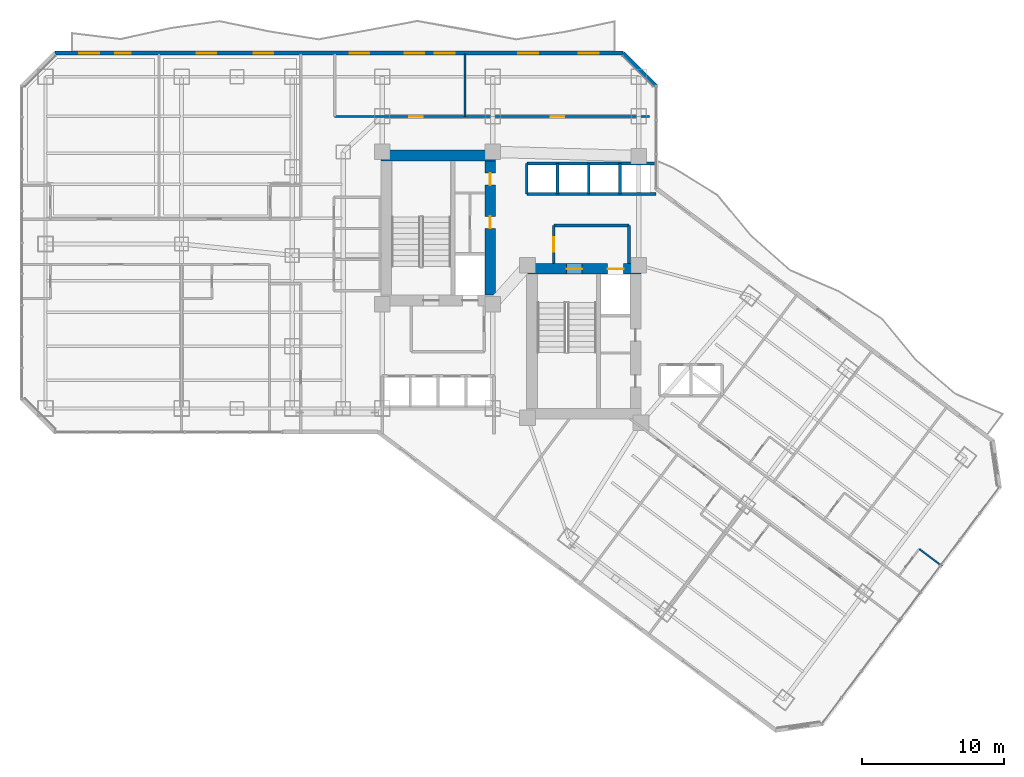
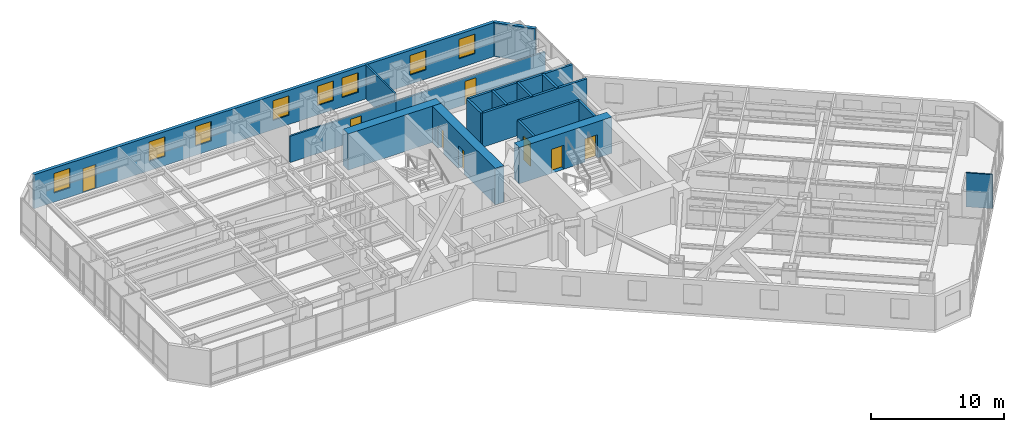
# One storey, part 27 of 33: 18 walls, 8 doors, 8 windows, 16 openings.
"""IFC4 building model written with IfcOpenShell, lengths in metres."""

from ifc_helpers import new_model, si_unit, direction, frame, frame_2d, origin, place, context, subcontext, project, spatial, rectangle, extrude, material, layer, layer_set, type_object, element, fill, save


model = new_model("IFC4")

# Units and contexts
model_context = context("Model", 3, precision=1e-05, world=origin(), true_north=direction((0.0, 1.0)))
body_context = subcontext(model_context, "Body", "Model", "MODEL_VIEW")
ifc_project = project(units=[si_unit("LENGTHUNIT", "METRE"), si_unit("AREAUNIT", "SQUARE_METRE"), si_unit("VOLUMEUNIT", "CUBIC_METRE"), si_unit("PLANEANGLEUNIT", "RADIAN"), si_unit("MASSUNIT", "GRAM", prefix="KILO")], contexts=[model_context])

# Site, building, storey
site_placement = place(None, origin())
site = spatial("IfcSite", under=ifc_project, at=site_placement, CompositionType="ELEMENT")
building_placement = place(site_placement, origin())
building = spatial("IfcBuilding", under=site, at=building_placement, Name="Hatsunagi Terrace Concourse", CompositionType="ELEMENT")
storey_placement = place(building_placement, frame((0.0, 0.0, 53.35009765625)))
storey = spatial("IfcBuildingStorey", under=building, at=storey_placement, Name="L13", CompositionType="ELEMENT", Elevation=53.35009765625)

# Wall
ifc_material_1 = material(Name="Concrete Fc60", Category="concrete")
ifc_layer_1 = layer(ifc_material_1, 0.75)
ifc_layer_set_1 = layer_set([ifc_layer_1], Name="CoreShearWall_Fc60_750")
wall_type_1 = type_object("IfcWallType", Name="CoreShearWall_Fc60_750", PredefinedType="SHEAR", material=ifc_layer_set_1)
wall_1_placement = place(storey_placement, frame((25.469970703125, 43.044921875, 0.0), z_axis=(0.0, 0.0, 1.0), x_axis=(1.0, 0.0, 0.0)))
element("IfcWall", 1, at=wall_1_placement, inside=storey, type_object=wall_type_1, Name="Core A Shear Wall N L13", PredefinedType="SHEAR", context=body_context, shape_type="SweptSolid", body=[
    extrude(rectangle(XDim=8.080078125, YDim=0.75, at=frame_2d((4.0400390625, 0.0))), origin(), (0.0, 0.0, 1.0), 3.349853515625),
])

# Wall, openings, doors
wall_2_placement = place(storey_placement, frame((33.175048828125, 33.18994140625, 0.0), z_axis=(0.0, 0.0, 1.0), x_axis=(0.0, 1.0, 0.0)))
wall_2 = element("IfcWall", 2, at=wall_2_placement, inside=storey, type_object=wall_type_1, Name="Core A Shear Wall E L13", PredefinedType="SHEAR", context=body_context, shape_type="SweptSolid", body=[
    extrude(rectangle(XDim=9.47998046875, YDim=0.75, at=frame_2d((4.739990234375, 0.0))), origin(), (0.0, 0.0, 1.0), 3.349853515625),
])
opening_1_placement = place(wall_2_placement, frame((4.7099609375, 0.0, 0.0)))
opening_1 = element("IfcOpeningElement", 3, at=opening_1_placement, cuts=wall_2, Name="Opening DR-085", PredefinedType="OPENING", context=body_context, shape_type="SweptSolid", body=[
    extrude(rectangle(XDim=0.85009765625, YDim=2.080078125, at=frame_2d((0.425048828125, 1.0400390625))), frame((0.0, 0.385009765625, 0.0), z_axis=(0.0, -1.0, 0.0), x_axis=(1.0, 0.0, 0.0)), (0.0, 0.0, 1.0), 0.77001953125),
])
opening_2_placement = place(wall_2_placement, frame((7.760009765625, 0.0, 0.0)))
opening_2 = element("IfcOpeningElement", 4, at=opening_2_placement, cuts=wall_2, Name="Opening DR-085", PredefinedType="OPENING", context=body_context, shape_type="SweptSolid", body=[
    extrude(rectangle(XDim=0.85009765625, YDim=2.080078125, at=frame_2d((0.425048828125, 1.0400390625))), frame((0.0, 0.385009765625, 0.0), z_axis=(0.0, -1.0, 0.0), x_axis=(1.0, 0.0, 0.0)), (0.0, 0.0, 1.0), 0.77001953125),
])
ifc_material_2 = material(Name="Painted steel", Category="steel")
door_type_1 = type_object("IfcDoorType", Name="RiserAccessDoor_EI60_850", OperationType="NOTDEFINED", PredefinedType="DOOR", material=ifc_material_2)
door_1_placement = place(opening_1_placement, origin())
door_1 = element("IfcDoor", 5, at=door_1_placement, inside=storey, type_object=door_type_1, Name="Core A Riser Door L13-1", OperationType="SINGLE_SWING_LEFT", OverallHeight=2.080078125, OverallWidth=0.85009765625, PredefinedType="DOOR", context=body_context, shape_type="SweptSolid", body=[
    extrude(rectangle(XDim=0.85009765625, YDim=2.080078125, at=frame_2d((0.425048828125, 1.0400390625))), frame((0.0, 0.02490234375, 0.0), z_axis=(0.0, -1.0, 0.0), x_axis=(1.0, 0.0, 0.0)), (0.0, 0.0, 1.0), 0.050048828125),
])
fill(opening_1, door_1)
door_2_placement = place(opening_2_placement, origin())
door_2 = element("IfcDoor", 6, at=door_2_placement, inside=storey, type_object=door_type_1, Name="Core A Riser Door L13-2", OperationType="SINGLE_SWING_LEFT", OverallHeight=2.080078125, OverallWidth=0.85009765625, PredefinedType="DOOR", context=body_context, shape_type="SweptSolid", body=[
    extrude(rectangle(XDim=0.85009765625, YDim=2.080078125, at=frame_2d((0.425048828125, 1.0400390625))), frame((0.0, 0.02490234375, 0.0), z_axis=(0.0, -1.0, 0.0), x_axis=(1.0, 0.0, 0.0)), (0.0, 0.0, 1.0), 0.050048828125),
])
fill(opening_2, door_2)

wall_3_placement = place(storey_placement, frame((35.739990234375, 35.044921875, 0.0), z_axis=(0.0, 0.0, 1.0), x_axis=(1.0, 0.0, 0.0)))
wall_3 = element("IfcWall", 7, at=wall_3_placement, inside=storey, type_object=wall_type_1, Name="Core B Shear Wall N L13", PredefinedType="SHEAR", context=body_context, shape_type="SweptSolid", body=[
    extrude(rectangle(XDim=8.06005859375, YDim=0.75, at=frame_2d((4.030029296875, 0.0))), origin(), (0.0, 0.0, 1.0), 3.349853515625),
])
opening_3_placement = place(wall_3_placement, frame((2.81005859375, 0.0, 0.0)))
opening_3 = element("IfcOpeningElement", 8, at=opening_3_placement, cuts=wall_3, Name="Opening DR-110S", PredefinedType="OPENING", context=body_context, shape_type="SweptSolid", body=[
    extrude(rectangle(XDim=1.10009765625, YDim=2.199951171875, at=frame_2d((0.550048828125, 1.10009765625))), frame((0.0, 0.385009765625, 0.0), z_axis=(0.0, -1.0, 0.0), x_axis=(1.0, 0.0, 0.0)), (0.0, 0.0, 1.0), 0.77001953125),
])
opening_4_placement = place(wall_3_placement, frame((5.7099609375, 0.0, 0.0)))
opening_4 = element("IfcOpeningElement", 9, at=opening_4_placement, cuts=wall_3, Name="Opening LD-02", PredefinedType="OPENING", context=body_context, shape_type="SweptSolid", body=[
    extrude(rectangle(XDim=1.1201171875, YDim=2.14990234375, at=frame_2d((0.56005859375, 1.074951171875))), frame((0.0, 0.385009765625, 0.0), z_axis=(0.0, -1.0, 0.0), x_axis=(1.0, 0.0, 0.0)), (0.0, 0.0, 1.0), 0.77001953125),
])
ifc_material_3 = material(Name="Stainless steel", Category="steel")
door_type_2 = type_object("IfcDoorType", Name="LiftLandingDoor_LD02", OperationType="SLIDING_TO_RIGHT", PredefinedType="USERDEFINED", material=ifc_material_3)
door_3_placement = place(opening_4_placement, origin())
door_3 = element("IfcDoor", 10, at=door_3_placement, inside=storey, type_object=door_type_2, Name="Lift landing door FF-02 L13", ObjectType="SLIDING_LANDING_DOOR", OperationType="SLIDING_TO_RIGHT", OverallHeight=2.14990234375, OverallWidth=1.1201171875, PredefinedType="USERDEFINED", context=body_context, shape_type="SweptSolid", body=[
    extrude(rectangle(XDim=1.1201171875, YDim=2.14990234375, at=frame_2d((0.56005859375, 1.074951171875))), frame((0.0, 0.02490234375, 0.0), z_axis=(0.0, -1.0, 0.0), x_axis=(1.0, 0.0, 0.0)), (0.0, 0.0, 1.0), 0.050048828125),
])
fill(opening_4, door_3)
ifc_material_4 = material(Name="Painted steel", Category="steel")
door_type_3 = type_object("IfcDoorType", Name="StairFireDoor_EI60_1100", OperationType="NOTDEFINED", PredefinedType="DOOR", material=ifc_material_4)
door_4_placement = place(opening_3_placement, origin())
door_4 = element("IfcDoor", 11, at=door_4_placement, inside=storey, type_object=door_type_3, Name="Stair ST-B Exit Door L13", OperationType="SINGLE_SWING_RIGHT", OverallHeight=2.199951171875, OverallWidth=1.10009765625, PredefinedType="DOOR", context=body_context, shape_type="SweptSolid", body=[
    extrude(rectangle(XDim=1.10009765625, YDim=2.199951171875, at=frame_2d((0.550048828125, 1.10009765625))), frame((0.0, 0.02490234375, 0.0), z_axis=(0.0, -1.0, 0.0), x_axis=(1.0, 0.0, 0.0)), (0.0, 0.0, 1.0), 0.050048828125),
])
fill(opening_3, door_4)

# Wall
ifc_material_5 = material(Name="Acoustic mineral board", Category="gypsum")
ifc_layer_2 = layer(ifc_material_5, 0.1201171875)
ifc_layer_set_2 = layer_set([ifc_layer_2], Name="PartitionWall_EI30_120")
wall_type_2 = type_object("IfcWallType", Name="PartitionWall_EI30_120", PredefinedType="PARTITIONING", material=ifc_layer_set_2)
wall_4_placement = place(storey_placement, frame((63.429931640625, 15.2900390625, 0.0), z_axis=(0.0, 0.0, 1.0), x_axis=(0.800014574191, -0.599980567254, 0.0)))
element("IfcWall", 12, at=wall_4_placement, inside=storey, type_object=wall_type_2, Name="Interior Partition IW-L13-081", PredefinedType="PARTITIONING", context=body_context, shape_type="SweptSolid", body=[
    extrude(rectangle(XDim=2.01025390625, YDim=0.1201171875, at=frame_2d((1.005126953125, 0.0))), origin(), (0.0, 0.0, 1.0), 3.1298828125),
])

# Wall, opening, door
ifc_material_6 = material(Name="Acoustic mineral board", Category="gypsum")
ifc_layer_3 = layer(ifc_material_6, 0.14990234375)
ifc_layer_set_3 = layer_set([ifc_layer_3], Name="PartitionWall_EI60_150")
wall_type_3 = type_object("IfcWallType", Name="PartitionWall_EI60_150", PredefinedType="PARTITIONING", material=ifc_layer_set_3)
wall_5_placement = place(storey_placement, frame((22.199951171875, 45.800048828125, 0.0), z_axis=(0.0, 0.0, 1.0), x_axis=(1.0, 0.0, 0.0)))
wall_5 = element("IfcWall", 13, at=wall_5_placement, inside=storey, type_object=wall_type_3, Name="Interior Partition IW-L13-038", PredefinedType="PARTITIONING", context=body_context, shape_type="SweptSolid", body=[
    extrude(rectangle(XDim=9.199951171875, YDim=0.14990234375, at=frame_2d((4.60009765625, 0.0))), origin(), (0.0, 0.0, 1.0), 2.4248046875),
])
opening_5_placement = place(wall_5_placement, frame((5.248046875, 0.0, 0.0)))
opening_5 = element("IfcOpeningElement", 14, at=opening_5_placement, cuts=wall_5, Name="Opening DR-095", PredefinedType="OPENING", context=body_context, shape_type="SweptSolid", body=[
    extrude(rectangle(XDim=0.949951171875, YDim=2.14990234375, at=frame_2d((0.47509765625, 1.074951171875))), frame((0.0, 0.0849609375, 0.0), z_axis=(0.0, -1.0, 0.0), x_axis=(1.0, 0.0, 0.0)), (0.0, 0.0, 1.0), 0.169921875),
])
ifc_material_7 = material(Name="Hardwood timber", Category="wood")
door_type_4 = type_object("IfcDoorType", Name="InteriorSuiteDoor_EI30_950", OperationType="NOTDEFINED", PredefinedType="DOOR", material=ifc_material_7)
door_5_placement = place(opening_5_placement, origin())
door_5 = element("IfcDoor", 15, at=door_5_placement, inside=storey, type_object=door_type_4, Name="Housekeeping Linen Room L13-HLIN Door", OperationType="SINGLE_SWING_LEFT", OverallHeight=2.14990234375, OverallWidth=0.949951171875, PredefinedType="DOOR", context=body_context, shape_type="SweptSolid", body=[
    extrude(rectangle(XDim=0.949951171875, YDim=2.14990234375, at=frame_2d((0.47509765625, 1.074951171875))), frame((0.0, 0.02490234375, 0.0), z_axis=(0.0, -1.0, 0.0), x_axis=(1.0, 0.0, 0.0)), (0.0, 0.0, 1.0), 0.050048828125),
])
fill(opening_5, door_5)

# Wall
wall_6_placement = place(storey_placement, frame((31.39990234375, 45.800048828125, 0.0), z_axis=(0.0, 0.0, 1.0), x_axis=(0.0, 1.0, 0.0)))
element("IfcWall", 16, at=wall_6_placement, inside=storey, type_object=wall_type_3, Name="Interior Partition IW-L13-040", PredefinedType="PARTITIONING", context=body_context, shape_type="SweptSolid", body=[
    extrude(rectangle(XDim=4.39990234375, YDim=0.14990234375, at=frame_2d((2.199951171875, 0.0))), origin(), (0.0, 0.0, 1.0), 3.1298828125),
])

# Wall, opening, door
wall_7_placement = place(storey_placement, frame((31.39990234375, 45.800048828125, 0.0), z_axis=(0.0, 0.0, 1.0), x_axis=(1.0, 0.0, 0.0)))
wall_7 = element("IfcWall", 17, at=wall_7_placement, inside=storey, type_object=wall_type_3, Name="Interior Partition IW-L13-041", PredefinedType="PARTITIONING", context=body_context, shape_type="SweptSolid", body=[
    extrude(rectangle(XDim=13.0, YDim=0.14990234375, at=frame_2d((6.5, 0.0))), origin(), (0.0, 0.0, 1.0), 2.4248046875),
])
opening_6_placement = place(wall_7_placement, frame((6.02490234375, 0.0, 0.0)))
opening_6 = element("IfcOpeningElement", 18, at=opening_6_placement, cuts=wall_7, Name="Opening DR-095", PredefinedType="OPENING", context=body_context, shape_type="SweptSolid", body=[
    extrude(rectangle(XDim=0.949951171875, YDim=2.14990234375, at=frame_2d((0.47509765625, 1.074951171875))), frame((0.0, 0.0849609375, 0.0), z_axis=(0.0, -1.0, 0.0), x_axis=(1.0, 0.0, 0.0)), (0.0, 0.0, 1.0), 0.169921875),
])
door_6_placement = place(opening_6_placement, origin())
door_6 = element("IfcDoor", 19, at=door_6_placement, inside=storey, type_object=door_type_4, Name="VIP Lounge L13-HLNG Door", OperationType="SINGLE_SWING_LEFT", OverallHeight=2.14990234375, OverallWidth=0.949951171875, PredefinedType="DOOR", context=body_context, shape_type="SweptSolid", body=[
    extrude(rectangle(XDim=0.949951171875, YDim=2.14990234375, at=frame_2d((0.47509765625, 1.074951171875))), frame((0.0, 0.02490234375, 0.0), z_axis=(0.0, -1.0, 0.0), x_axis=(1.0, 0.0, 0.0)), (0.0, 0.0, 1.0), 0.050048828125),
])
fill(opening_6, door_6)

# Walls
ifc_material_8 = material(Name="Acoustic mineral board", Category="gypsum")
ifc_layer_4 = layer(ifc_material_8, 0.199951171875)
ifc_layer_set_4 = layer_set([ifc_layer_4], Name="ShaftWall_EI120_200")
wall_type_4 = type_object("IfcWallType", Name="ShaftWall_EI120_200", PredefinedType="STANDARD", material=ifc_layer_set_4)
wall_8_placement = place(storey_placement, frame((37.64990234375, 38.10009765625, 0.0), z_axis=(0.0, 0.0, 1.0), x_axis=(1.0, 0.0, 0.0)))
element("IfcWall", 20, at=wall_8_placement, inside=storey, type_object=wall_type_4, Name="Interior Partition IW-L13-009", PredefinedType="STANDARD", context=body_context, shape_type="SweptSolid", body=[
    extrude(rectangle(XDim=5.300048828125, YDim=0.199951171875, at=frame_2d((2.64990234375, 0.0))), origin(), (0.0, 0.0, 1.0), 3.1298828125),
])
wall_9_placement = place(storey_placement, frame((42.949951171875, 35.419921875, 0.0), z_axis=(0.0, 0.0, 1.0), x_axis=(0.0, 1.0, 0.0)))
element("IfcWall", 21, at=wall_9_placement, inside=storey, type_object=wall_type_4, Name="Interior Partition IW-L13-010", PredefinedType="STANDARD", context=body_context, shape_type="SweptSolid", body=[
    extrude(rectangle(XDim=2.68017578125, YDim=0.199951171875, at=frame_2d((1.340087890625, 0.0))), origin(), (0.0, 0.0, 1.0), 3.1298828125),
])

# Wall, opening, door
wall_10_placement = place(storey_placement, frame((37.64990234375, 35.419921875, 0.0), z_axis=(0.0, 0.0, 1.0), x_axis=(0.0, 1.0, 0.0)))
wall_10 = element("IfcWall", 22, at=wall_10_placement, inside=storey, type_object=wall_type_4, Name="Interior Partition IW-L13-011", PredefinedType="STANDARD", context=body_context, shape_type="SweptSolid", body=[
    extrude(rectangle(XDim=2.68017578125, YDim=0.199951171875, at=frame_2d((1.340087890625, 0.0))), origin(), (0.0, 0.0, 1.0), 3.1298828125),
])
opening_7_placement = place(wall_10_placement, frame((0.840087890625, 0.0, 0.0)))
opening_7 = element("IfcOpeningElement", 23, at=opening_7_placement, cuts=wall_10, Name="Opening DR-100F", PredefinedType="OPENING", context=body_context, shape_type="SweptSolid", body=[
    extrude(rectangle(XDim=1.0, YDim=2.199951171875, at=frame_2d((0.5, 1.10009765625))), frame((0.0, 0.10986328125, 0.0), z_axis=(0.0, -1.0, 0.0), x_axis=(1.0, 0.0, 0.0)), (0.0, 0.0, 1.0), 0.219970703125),
])
ifc_material_9 = material(Name="Painted steel", Category="steel")
door_type_5 = type_object("IfcDoorType", Name="FireDoor_EI60_1000", OperationType="NOTDEFINED", PredefinedType="DOOR", material=ifc_material_9)
door_7_placement = place(opening_7_placement, origin())
door_7 = element("IfcDoor", 24, at=door_7_placement, inside=storey, type_object=door_type_5, Name="Firefighting Lobby B Door L13", OperationType="SINGLE_SWING_RIGHT", OverallHeight=2.199951171875, OverallWidth=1.0, PredefinedType="DOOR", context=body_context, shape_type="SweptSolid", body=[
    extrude(rectangle(XDim=1.0, YDim=2.199951171875, at=frame_2d((0.5, 1.10009765625))), frame((0.0, 0.02490234375, 0.0), z_axis=(0.0, -1.0, 0.0), x_axis=(1.0, 0.0, 0.0)), (0.0, 0.0, 1.0), 0.050048828125),
])
fill(opening_7, door_7)

# Walls
wall_11_placement = place(storey_placement, frame((35.75, 42.47998046875, 0.0), z_axis=(0.0, 0.0, 1.0), x_axis=(1.0, 0.0, 0.0)))
element("IfcWall", 25, at=wall_11_placement, inside=storey, type_object=wall_type_4, Name="Interior Partition IW-L13-019", PredefinedType="STANDARD", context=body_context, shape_type="SweptSolid", body=[
    extrude(rectangle(XDim=9.110107421875, YDim=0.199951171875, at=frame_2d((4.55517578125, 0.0))), origin(), (0.0, 0.0, 1.0), 3.1298828125),
])
for number, where, z_axis, x_axis, name in (
    (26, (35.75, 40.320068359375, 0.0), (0.0, 0.0, 1.0), (0.0, 1.0, 0.0), "Interior Partition IW-L13-020"),
    (27, (37.919921875, 40.320068359375, 0.0), (0.0, 0.0, 1.0), (0.0, 1.0, 0.0), "Interior Partition IW-L13-021"),
    (28, (40.1201171875, 40.320068359375, 0.0), (0.0, 0.0, 1.0), (0.0, 1.0, 0.0), "Interior Partition IW-L13-022"),
    (29, (42.320068359375, 40.320068359375, 0.0), (0.0, 0.0, 1.0), (0.0, 1.0, 0.0), "Interior Partition IW-L13-023"),
):
    element("IfcWall", number, at=place(storey_placement, frame(where, z_axis=z_axis, x_axis=x_axis)), inside=storey, type_object=wall_type_4, Name=name, PredefinedType="STANDARD", context=body_context, shape_type="SweptSolid", body=[
        extrude(rectangle(XDim=2.159912109375, YDim=0.199951171875, at=frame_2d((1.080078125, 0.0))), origin(), (0.0, 0.0, 1.0), 3.1298828125),
    ])
wall_12_placement = place(storey_placement, frame((35.75, 40.320068359375, 0.0), z_axis=(0.0, 0.0, 1.0), x_axis=(1.0, 0.0, 0.0)))
element("IfcWall", 30, at=wall_12_placement, inside=storey, type_object=wall_type_4, Name="Interior Partition IW-L13-024", PredefinedType="STANDARD", context=body_context, shape_type="SweptSolid", body=[
    extrude(rectangle(XDim=9.110107421875, YDim=0.199951171875, at=frame_2d((4.55517578125, 0.0))), origin(), (0.0, 0.0, 1.0), 3.1298828125),
])

# Wall, openings, door, windows
ifc_material_10 = material(Name="Autoclaved Lightweight Concrete and Terracotta Cladding", Category="masonry")
ifc_layer_5 = layer(ifc_material_10, 0.280029296875)
ifc_layer_set_5 = layer_set([ifc_layer_5], Name="TerracottaSpandrelWall_280")
wall_type_5 = type_object("IfcWallType", Name="TerracottaSpandrelWall_280", PredefinedType="STANDARD", material=ifc_layer_set_5)
wall_13_placement = place(storey_placement, frame((2.4580078125, 50.260009765625, 0.0), z_axis=(0.0, 0.0, 1.0), x_axis=(1.0, 0.0, 0.0)))
wall_13 = element("IfcWall", 31, at=wall_13_placement, inside=storey, type_object=wall_type_5, Name="Exterior Spandrel Wall EW-L13-11", PredefinedType="STANDARD", context=body_context, shape_type="SweptSolid", body=[
    extrude(rectangle(XDim=40.083984375, YDim=0.280029296875, at=frame_2d((20.0419921875, 0.0))), origin(), (0.0, 0.0, 1.0), 3.1298828125),
])
opening_8_placement = place(wall_13_placement, frame((4.260009765625, 0.0, 0.0)))
opening_8 = element("IfcOpeningElement", 32, at=opening_8_placement, cuts=wall_13, Name="Opening BD-01", PredefinedType="OPENING", context=body_context, shape_type="SweptSolid", body=[
    extrude(rectangle(XDim=1.10009765625, YDim=2.199951171875, at=frame_2d((0.550048828125, 1.10009765625))), frame((0.0, 0.14990234375, 0.0), z_axis=(0.0, -1.0, 0.0), x_axis=(1.0, 0.0, 0.0)), (0.0, 0.0, 1.0), 0.300048828125),
])
opening_9_placement = place(wall_13_placement, frame((1.717041015625, 0.0, 0.85009765625)))
opening_9 = element("IfcOpeningElement", 33, at=opening_9_placement, cuts=wall_13, Name="Opening WIN-02", PredefinedType="OPENING", context=body_context, shape_type="SweptSolid", body=[
    extrude(rectangle(XDim=1.39990234375, YDim=1.800048828125, at=frame_2d((0.699951171875, 0.89990234375))), frame((0.0, 0.14990234375, 0.0), z_axis=(0.0, -1.0, 0.0), x_axis=(1.0, 0.0, 0.0)), (0.0, 0.0, 1.0), 0.300048828125),
])
opening_10_placement = place(wall_13_placement, frame((10.0, 0.0, 0.85009765625)))
opening_10 = element("IfcOpeningElement", 34, at=opening_10_placement, cuts=wall_13, Name="Opening WIN-02", PredefinedType="OPENING", context=body_context, shape_type="SweptSolid", body=[
    extrude(rectangle(XDim=1.39990234375, YDim=1.800048828125, at=frame_2d((0.699951171875, 0.89990234375))), frame((0.0, 0.14990234375, 0.0), z_axis=(0.0, -1.0, 0.0), x_axis=(1.0, 0.0, 0.0)), (0.0, 0.0, 1.0), 0.300048828125),
])
opening_11_placement = place(wall_13_placement, frame((14.02001953125, 0.0, 0.85009765625)))
opening_11 = element("IfcOpeningElement", 35, at=opening_11_placement, cuts=wall_13, Name="Opening WIN-02", PredefinedType="OPENING", context=body_context, shape_type="SweptSolid", body=[
    extrude(rectangle(XDim=1.39990234375, YDim=1.800048828125, at=frame_2d((0.699951171875, 0.89990234375))), frame((0.0, 0.14990234375, 0.0), z_axis=(0.0, -1.0, 0.0), x_axis=(1.0, 0.0, 0.0)), (0.0, 0.0, 1.0), 0.300048828125),
])
opening_12_placement = place(wall_13_placement, frame((20.7890625, 0.0, 0.85009765625)))
opening_12 = element("IfcOpeningElement", 36, at=opening_12_placement, cuts=wall_13, Name="Opening WIN-02", PredefinedType="OPENING", context=body_context, shape_type="SweptSolid", body=[
    extrude(rectangle(XDim=1.39990234375, YDim=1.800048828125, at=frame_2d((0.699951171875, 0.89990234375))), frame((0.0, 0.14990234375, 0.0), z_axis=(0.0, -1.0, 0.0), x_axis=(1.0, 0.0, 0.0)), (0.0, 0.0, 1.0), 0.300048828125),
])
opening_13_placement = place(wall_13_placement, frame((24.6640625, 0.0, 0.85009765625)))
opening_13 = element("IfcOpeningElement", 37, at=opening_13_placement, cuts=wall_13, Name="Opening WIN-02", PredefinedType="OPENING", context=body_context, shape_type="SweptSolid", body=[
    extrude(rectangle(XDim=1.39990234375, YDim=1.800048828125, at=frame_2d((0.699951171875, 0.89990234375))), frame((0.0, 0.14990234375, 0.0), z_axis=(0.0, -1.0, 0.0), x_axis=(1.0, 0.0, 0.0)), (0.0, 0.0, 1.0), 0.300048828125),
])
opening_14_placement = place(wall_13_placement, frame((26.802978515625, 0.0, 0.85009765625)))
opening_14 = element("IfcOpeningElement", 38, at=opening_14_placement, cuts=wall_13, Name="Opening WIN-02", PredefinedType="OPENING", context=body_context, shape_type="SweptSolid", body=[
    extrude(rectangle(XDim=1.39990234375, YDim=1.800048828125, at=frame_2d((0.699951171875, 0.89990234375))), frame((0.0, 0.14990234375, 0.0), z_axis=(0.0, -1.0, 0.0), x_axis=(1.0, 0.0, 0.0)), (0.0, 0.0, 1.0), 0.300048828125),
])
opening_15_placement = place(wall_13_placement, frame((32.702880859375, 0.0, 0.85009765625)))
opening_15 = element("IfcOpeningElement", 39, at=opening_15_placement, cuts=wall_13, Name="Opening WIN-02", PredefinedType="OPENING", context=body_context, shape_type="SweptSolid", body=[
    extrude(rectangle(XDim=1.39990234375, YDim=1.800048828125, at=frame_2d((0.699951171875, 0.89990234375))), frame((0.0, 0.14990234375, 0.0), z_axis=(0.0, -1.0, 0.0), x_axis=(1.0, 0.0, 0.0)), (0.0, 0.0, 1.0), 0.300048828125),
])
opening_16_placement = place(wall_13_placement, frame((36.967041015625, 0.0, 0.85009765625)))
opening_16 = element("IfcOpeningElement", 40, at=opening_16_placement, cuts=wall_13, Name="Opening WIN-02", PredefinedType="OPENING", context=body_context, shape_type="SweptSolid", body=[
    extrude(rectangle(XDim=1.39990234375, YDim=1.800048828125, at=frame_2d((0.699951171875, 0.89990234375))), frame((0.0, 0.14990234375, 0.0), z_axis=(0.0, -1.0, 0.0), x_axis=(1.0, 0.0, 0.0)), (0.0, 0.0, 1.0), 0.300048828125),
])
ifc_material_11 = material(Name="Galvanised Steel and Laminated Safety Glass", Category="steel")
door_type_6 = type_object("IfcDoorType", Name="BalconyTerraceAccessDoor_1100x2200", OperationType="SINGLE_SWING_LEFT", PredefinedType="DOOR", material=ifc_material_11)
door_8_placement = place(opening_8_placement, origin())
door_8 = element("IfcDoor", 41, at=door_8_placement, inside=storey, type_object=door_type_6, Name="Engawa Balcony Door L13-BN", OperationType="SINGLE_SWING_RIGHT", OverallHeight=2.199951171875, OverallWidth=1.10009765625, PredefinedType="DOOR", context=body_context, shape_type="SweptSolid", body=[
    extrude(rectangle(XDim=1.10009765625, YDim=2.199951171875, at=frame_2d((0.550048828125, 1.10009765625))), frame((0.0, 0.02490234375, 0.0), z_axis=(0.0, -1.0, 0.0), x_axis=(1.0, 0.0, 0.0)), (0.0, 0.0, 1.0), 0.050048828125),
])
fill(opening_8, door_8)
ifc_material_12 = material(Name="Thermally Broken Aluminium and Low-E Triple Glazing", Category="aluminium")
window_type = type_object("IfcWindowType", Name="HotelOperableVentWindow_1400x1800", PartitioningType="DOUBLE_PANEL_VERTICAL", PredefinedType="WINDOW", material=ifc_material_12)
window_1_placement = place(opening_9_placement, origin())
window_1 = element("IfcWindow", 42, at=window_1_placement, inside=storey, type_object=window_type, Name="Balcony Daylighting Window L13-11-1", OverallHeight=1.800048828125, OverallWidth=1.39990234375, PartitioningType="SINGLE_PANEL", PredefinedType="WINDOW", context=body_context, shape_type="SweptSolid", body=[
    extrude(rectangle(XDim=1.39990234375, YDim=1.800048828125, at=frame_2d((0.699951171875, 0.89990234375))), frame((0.0, 0.030029296875, 0.0), z_axis=(0.0, -1.0, 0.0), x_axis=(1.0, 0.0, 0.0)), (0.0, 0.0, 1.0), 0.06005859375),
])
fill(opening_9, window_1)
window_2_placement = place(opening_10_placement, origin())
window_2 = element("IfcWindow", 43, at=window_2_placement, inside=storey, type_object=window_type, Name="Balcony Daylighting Window L13-11-3", OverallHeight=1.800048828125, OverallWidth=1.39990234375, PartitioningType="SINGLE_PANEL", PredefinedType="WINDOW", context=body_context, shape_type="SweptSolid", body=[
    extrude(rectangle(XDim=1.39990234375, YDim=1.800048828125, at=frame_2d((0.699951171875, 0.89990234375))), frame((0.0, 0.030029296875, 0.0), z_axis=(0.0, -1.0, 0.0), x_axis=(1.0, 0.0, 0.0)), (0.0, 0.0, 1.0), 0.06005859375),
])
fill(opening_10, window_2)
window_3_placement = place(opening_11_placement, origin())
window_3 = element("IfcWindow", 44, at=window_3_placement, inside=storey, type_object=window_type, Name="Balcony Daylighting Window L13-11-4", OverallHeight=1.800048828125, OverallWidth=1.39990234375, PartitioningType="SINGLE_PANEL", PredefinedType="WINDOW", context=body_context, shape_type="SweptSolid", body=[
    extrude(rectangle(XDim=1.39990234375, YDim=1.800048828125, at=frame_2d((0.699951171875, 0.89990234375))), frame((0.0, 0.030029296875, 0.0), z_axis=(0.0, -1.0, 0.0), x_axis=(1.0, 0.0, 0.0)), (0.0, 0.0, 1.0), 0.06005859375),
])
fill(opening_11, window_3)
window_4_placement = place(opening_12_placement, origin())
window_4 = element("IfcWindow", 45, at=window_4_placement, inside=storey, type_object=window_type, Name="Balcony Daylighting Window L13-11-5", OverallHeight=1.800048828125, OverallWidth=1.39990234375, PartitioningType="SINGLE_PANEL", PredefinedType="WINDOW", context=body_context, shape_type="SweptSolid", body=[
    extrude(rectangle(XDim=1.39990234375, YDim=1.800048828125, at=frame_2d((0.699951171875, 0.89990234375))), frame((0.0, 0.030029296875, 0.0), z_axis=(0.0, -1.0, 0.0), x_axis=(1.0, 0.0, 0.0)), (0.0, 0.0, 1.0), 0.06005859375),
])
fill(opening_12, window_4)
window_5_placement = place(opening_13_placement, origin())
window_5 = element("IfcWindow", 46, at=window_5_placement, inside=storey, type_object=window_type, Name="Balcony Daylighting Window L13-11-6", OverallHeight=1.800048828125, OverallWidth=1.39990234375, PartitioningType="SINGLE_PANEL", PredefinedType="WINDOW", context=body_context, shape_type="SweptSolid", body=[
    extrude(rectangle(XDim=1.39990234375, YDim=1.800048828125, at=frame_2d((0.699951171875, 0.89990234375))), frame((0.0, 0.030029296875, 0.0), z_axis=(0.0, -1.0, 0.0), x_axis=(1.0, 0.0, 0.0)), (0.0, 0.0, 1.0), 0.06005859375),
])
fill(opening_13, window_5)
window_6_placement = place(opening_14_placement, origin())
window_6 = element("IfcWindow", 47, at=window_6_placement, inside=storey, type_object=window_type, Name="Balcony Daylighting Window L13-11-7", OverallHeight=1.800048828125, OverallWidth=1.39990234375, PartitioningType="SINGLE_PANEL", PredefinedType="WINDOW", context=body_context, shape_type="SweptSolid", body=[
    extrude(rectangle(XDim=1.39990234375, YDim=1.800048828125, at=frame_2d((0.699951171875, 0.89990234375))), frame((0.0, 0.030029296875, 0.0), z_axis=(0.0, -1.0, 0.0), x_axis=(1.0, 0.0, 0.0)), (0.0, 0.0, 1.0), 0.06005859375),
])
fill(opening_14, window_6)
window_7_placement = place(opening_15_placement, origin())
window_7 = element("IfcWindow", 48, at=window_7_placement, inside=storey, type_object=window_type, Name="Balcony Daylighting Window L13-11-8", OverallHeight=1.800048828125, OverallWidth=1.39990234375, PartitioningType="SINGLE_PANEL", PredefinedType="WINDOW", context=body_context, shape_type="SweptSolid", body=[
    extrude(rectangle(XDim=1.39990234375, YDim=1.800048828125, at=frame_2d((0.699951171875, 0.89990234375))), frame((0.0, 0.030029296875, 0.0), z_axis=(0.0, -1.0, 0.0), x_axis=(1.0, 0.0, 0.0)), (0.0, 0.0, 1.0), 0.06005859375),
])
fill(opening_15, window_7)
window_8_placement = place(opening_16_placement, origin())
window_8 = element("IfcWindow", 49, at=window_8_placement, inside=storey, type_object=window_type, Name="Balcony Daylighting Window L13-11-9", OverallHeight=1.800048828125, OverallWidth=1.39990234375, PartitioningType="SINGLE_PANEL", PredefinedType="WINDOW", context=body_context, shape_type="SweptSolid", body=[
    extrude(rectangle(XDim=1.39990234375, YDim=1.800048828125, at=frame_2d((0.699951171875, 0.89990234375))), frame((0.0, 0.030029296875, 0.0), z_axis=(0.0, -1.0, 0.0), x_axis=(1.0, 0.0, 0.0)), (0.0, 0.0, 1.0), 0.06005859375),
])
fill(opening_16, window_8)

# Wall
wall_14_placement = place(storey_placement, frame((42.5419921875, 50.260009765625, 0.0), z_axis=(0.0, 0.0, 1.0), x_axis=(0.707106781187, -0.707106781187, 0.0)))
element("IfcWall", 50, at=wall_14_placement, inside=storey, type_object=wall_type_5, Name="Exterior Spandrel Wall EW-L13-12", PredefinedType="STANDARD", context=body_context, shape_type="SweptSolid", body=[
    extrude(rectangle(XDim=3.2783203125, YDim=0.280029296875, at=frame_2d((1.63916015625, 0.0))), origin(), (0.0, 0.0, 1.0), 3.1298828125),
])

save(model, "model.ifc")
